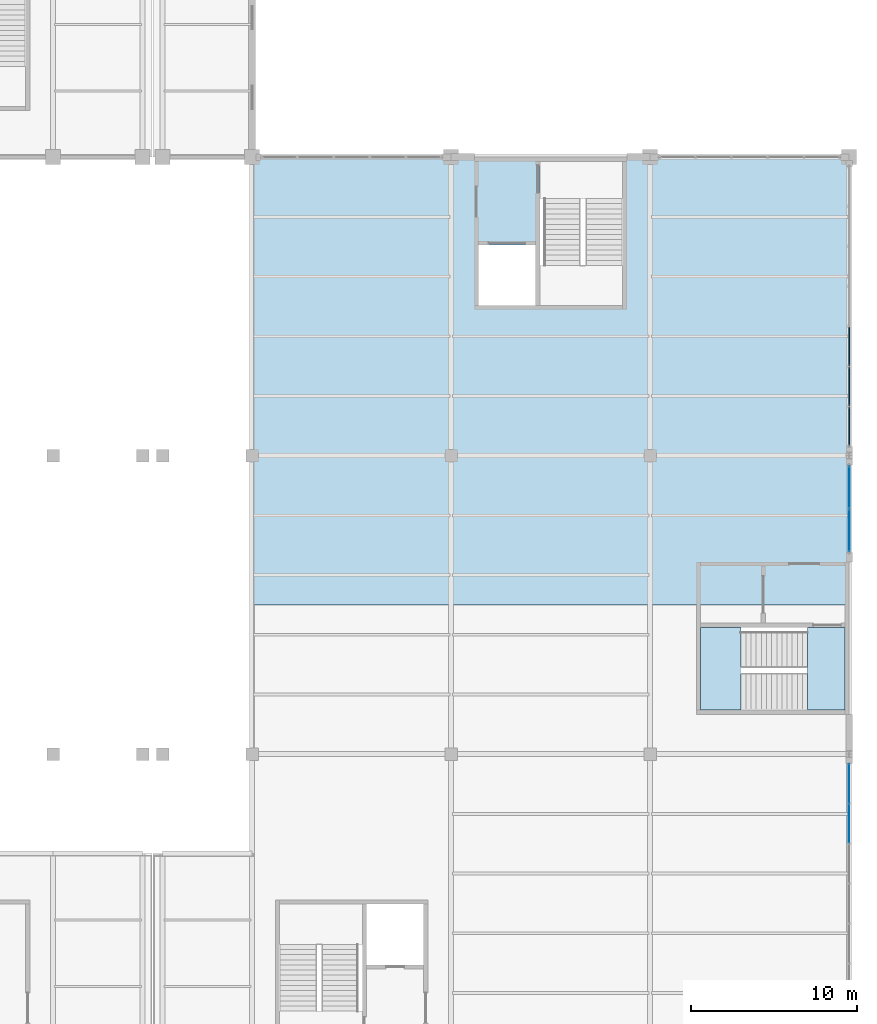
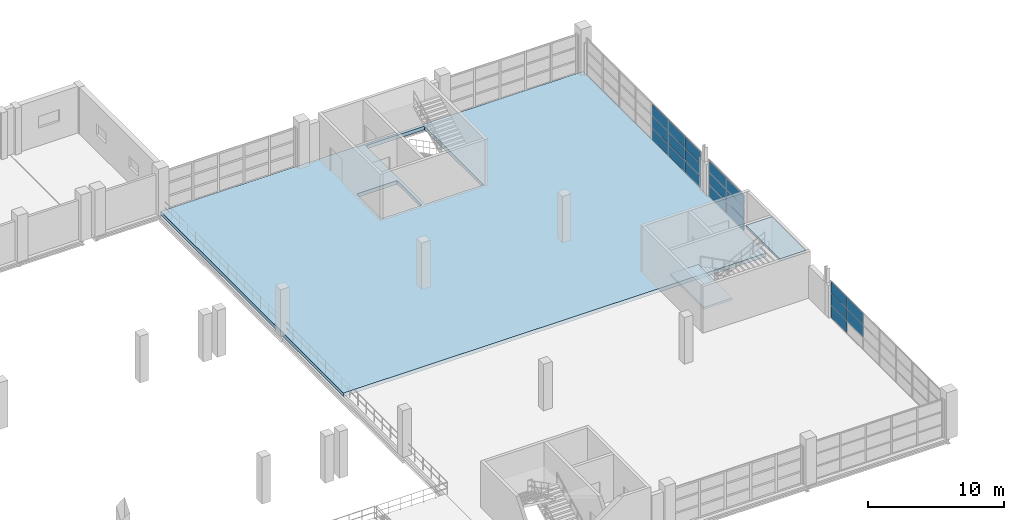
# One storey, part 135 of 158: 20 plates, 3 slabs, 4 elements without a shape of their own.
"""IFC4 building model written with IfcOpenShell, lengths in metres."""

from ifc_helpers import new_model, si_unit, direction, frame, origin, origin_2d, place, context, subcontext, project, spatial, polyline, rectangle, outline, extrude, material, layer, layer_set, type_object, element, aggregate, save


model = new_model("IFC4")

# Units and contexts
model_context = context("Model", 3, precision=1e-05, world=origin(), true_north=direction((0.0, 1.0)))
body_context = subcontext(model_context, "Body", "Model", "MODEL_VIEW")
ifc_project = project(units=[si_unit("LENGTHUNIT", "METRE"), si_unit("AREAUNIT", "SQUARE_METRE"), si_unit("VOLUMEUNIT", "CUBIC_METRE"), si_unit("PLANEANGLEUNIT", "RADIAN"), si_unit("MASSUNIT", "GRAM", prefix="KILO")], contexts=[model_context])

# Site, building, storey
site_placement = place(None, origin())
site = spatial("IfcSite", under=ifc_project, at=site_placement, CompositionType="ELEMENT")
building_placement = place(site_placement, origin())
building = spatial("IfcBuilding", under=site, at=building_placement, Name="Zilviju Railside Exhibition Hall", CompositionType="ELEMENT")
storey_placement = place(building_placement, frame((0.0, 0.0, 4.199951171875)))
storey = spatial("IfcBuildingStorey", under=building, at=storey_placement, Name="L02", CompositionType="ELEMENT", Elevation=4.199951171875)

# Curtain wall, plates
ifc_material_1 = material(Name="Thermally broken aluminium-steel triple-glazed curtain wall", Category="steel")
ifc_layer_1 = layer(ifc_material_1, 0.179931640625)
ifc_layer_set_1 = layer_set([ifc_layer_1], Name="Thermally broken aluminium-steel triple-glazed curtain wall")
curtain_wall_type_1 = type_object("IfcCurtainWallType", Name="CW-BAY-15", PredefinedType="USERDEFINED", material=ifc_layer_set_1)
curtain_wall_1_placement = place(storey_placement, origin())
curtain_wall_1 = element("IfcCurtainWall", 1, at=curtain_wall_1_placement, inside=storey, type_object=curtain_wall_type_1, Name="North Hall East Glazed Gable L02 (84..102)", ObjectType="GLAZED CURTAIN WALL", PredefinedType="USERDEFINED")
ifc_material_2 = material(Name="Laminated acoustic double-glazed porch unit", Category="glass")
ifc_layer_2 = layer(ifc_material_2, 0.031982421875)
ifc_layer_set_2 = layer_set([ifc_layer_2], Name="Laminated acoustic double-glazed porch unit")
plate_type_1 = type_object("IfcPlateType", Name="CWP-IGU-32", PredefinedType="CURTAIN_PANEL", material=ifc_layer_set_2)
plate_1_placement = place(storey_placement, frame((216.0, 100.227783203125, 0.06005859375), z_axis=(0.0, 0.0, 1.0), x_axis=(0.0, -1.0, 0.0)))
plate_1 = element("IfcPlate", 2, at=plate_1_placement, type_object=plate_type_1, Name="CW-15 panel 1.1", PredefinedType="CURTAIN_PANEL", context=body_context, shape_type="SweptSolid", body=[
    extrude(rectangle(XDim=2.32421875, YDim=0.031982421875, at=origin_2d()), origin(), (0.0, 0.0, 1.0), 1.027099609375),
])
plate_2_placement = place(storey_placement, frame((216.0, 100.227783203125, 1.14697265625), z_axis=(0.0, 0.0, 1.0), x_axis=(0.0, -1.0, 0.0)))
plate_2 = element("IfcPlate", 3, at=plate_2_placement, type_object=plate_type_1, Name="CW-15 panel 1.2", PredefinedType="CURTAIN_PANEL", context=body_context, shape_type="SweptSolid", body=[
    extrude(rectangle(XDim=2.32421875, YDim=0.031982421875, at=origin_2d()), origin(), (0.0, 0.0, 1.0), 1.055908203125),
])
plate_3_placement = place(storey_placement, frame((216.0, 100.227783203125, 2.26318359375), z_axis=(0.0, 0.0, 1.0), x_axis=(0.0, -1.0, 0.0)))
plate_3 = element("IfcPlate", 4, at=plate_3_placement, type_object=plate_type_1, Name="CW-15 panel 1.3", PredefinedType="CURTAIN_PANEL", context=body_context, shape_type="SweptSolid", body=[
    extrude(rectangle(XDim=2.32421875, YDim=0.031982421875, at=origin_2d()), origin(), (0.0, 0.0, 1.0), 1.027099609375),
])
plate_4_placement = place(storey_placement, frame((216.0, 97.82861328125, 1.14697265625), z_axis=(0.0, 0.0, 1.0), x_axis=(0.0, -1.0, 0.0)))
plate_4 = element("IfcPlate", 5, at=plate_4_placement, type_object=plate_type_1, Name="CW-15 panel 2.2", PredefinedType="CURTAIN_PANEL", context=body_context, shape_type="SweptSolid", body=[
    extrude(rectangle(XDim=2.354248046875, YDim=0.031982421875, at=origin_2d()), origin(), (0.0, 0.0, 1.0), 1.055908203125),
])
plate_5_placement = place(storey_placement, frame((216.0, 97.82861328125, 2.26318359375), z_axis=(0.0, 0.0, 1.0), x_axis=(0.0, -1.0, 0.0)))
plate_5 = element("IfcPlate", 6, at=plate_5_placement, type_object=plate_type_1, Name="CW-15 panel 2.3", PredefinedType="CURTAIN_PANEL", context=body_context, shape_type="SweptSolid", body=[
    extrude(rectangle(XDim=2.354248046875, YDim=0.031982421875, at=origin_2d()), origin(), (0.0, 0.0, 1.0), 1.027099609375),
])
aggregate(curtain_wall_1, [plate_1, plate_2, plate_3, plate_4, plate_5])

ifc_layer_3 = layer(ifc_material_1, 0.179931640625)
ifc_layer_set_3 = layer_set([ifc_layer_3], Name="Thermally broken aluminium-steel triple-glazed curtain wall")
curtain_wall_type_2 = type_object("IfcCurtainWallType", Name="CW-BAY-16", PredefinedType="USERDEFINED", material=ifc_layer_set_3)
curtain_wall_2_placement = place(storey_placement, origin())
curtain_wall_2 = element("IfcCurtainWall", 7, at=curtain_wall_2_placement, inside=storey, type_object=curtain_wall_type_2, Name="North Hall East Glazed Gable L02 (114..120)", ObjectType="GLAZED CURTAIN WALL", PredefinedType="USERDEFINED")
ifc_material_3 = material(Name="Insulated cobalt-blue enamelled spandrel glass panel", Category="glass")
ifc_layer_4 = layer(ifc_material_3, 0.052001953125)
ifc_layer_set_4 = layer_set([ifc_layer_4], Name="Insulated cobalt-blue enamelled spandrel glass panel")
plate_type_2 = type_object("IfcPlateType", Name="CWP-SPD-52", PredefinedType="CURTAIN_PANEL", material=ifc_layer_set_4)
plate_6_placement = place(storey_placement, frame((216.0, 118.10498046875, 0.080078125), z_axis=(0.0, 0.0, 1.0), x_axis=(0.0, -1.0, 0.0)))
plate_6 = element("IfcPlate", 8, at=plate_6_placement, type_object=plate_type_2, Name="CW-16 panel 1.1", PredefinedType="CURTAIN_PANEL", context=body_context, shape_type="SweptSolid", body=[
    extrude(rectangle(XDim=2.530029296875, YDim=0.052001953125, at=origin_2d()), origin(), (0.0, 0.0, 1.0), 0.9970703125),
])
plate_7_placement = place(storey_placement, frame((216.0, 118.10498046875, 1.1572265625), z_axis=(0.0, 0.0, 1.0), x_axis=(0.0, -1.0, 0.0)))
plate_7 = element("IfcPlate", 9, at=plate_7_placement, type_object=plate_type_2, Name="CW-16 panel 1.2", PredefinedType="CURTAIN_PANEL", context=body_context, shape_type="SweptSolid", body=[
    extrude(rectangle(XDim=2.530029296875, YDim=0.052001953125, at=origin_2d()), origin(), (0.0, 0.0, 1.0), 1.035888671875),
])
plate_8_placement = place(storey_placement, frame((216.0, 118.10498046875, 2.27294921875), z_axis=(0.0, 0.0, 1.0), x_axis=(0.0, -1.0, 0.0)))
plate_8 = element("IfcPlate", 10, at=plate_8_placement, type_object=plate_type_2, Name="CW-16 panel 1.3", PredefinedType="CURTAIN_PANEL", context=body_context, shape_type="SweptSolid", body=[
    extrude(rectangle(XDim=2.530029296875, YDim=0.052001953125, at=origin_2d()), origin(), (0.0, 0.0, 1.0), 0.9970703125),
])
plate_9_placement = place(storey_placement, frame((216.0, 115.4951171875, 0.080078125), z_axis=(0.0, 0.0, 1.0), x_axis=(0.0, -1.0, 0.0)))
plate_9 = element("IfcPlate", 11, at=plate_9_placement, type_object=plate_type_2, Name="CW-16 panel 2.1", PredefinedType="CURTAIN_PANEL", context=body_context, shape_type="SweptSolid", body=[
    extrude(rectangle(XDim=2.530029296875, YDim=0.052001953125, at=origin_2d()), origin(), (0.0, 0.0, 1.0), 0.9970703125),
])
plate_10_placement = place(storey_placement, frame((216.0, 115.4951171875, 1.1572265625), z_axis=(0.0, 0.0, 1.0), x_axis=(0.0, -1.0, 0.0)))
plate_10 = element("IfcPlate", 12, at=plate_10_placement, type_object=plate_type_2, Name="CW-16 panel 2.2", PredefinedType="CURTAIN_PANEL", context=body_context, shape_type="SweptSolid", body=[
    extrude(rectangle(XDim=2.530029296875, YDim=0.052001953125, at=origin_2d()), origin(), (0.0, 0.0, 1.0), 1.035888671875),
])
plate_11_placement = place(storey_placement, frame((216.0, 115.4951171875, 2.27294921875), z_axis=(0.0, 0.0, 1.0), x_axis=(0.0, -1.0, 0.0)))
plate_11 = element("IfcPlate", 13, at=plate_11_placement, type_object=plate_type_2, Name="CW-16 panel 2.3", PredefinedType="CURTAIN_PANEL", context=body_context, shape_type="SweptSolid", body=[
    extrude(rectangle(XDim=2.530029296875, YDim=0.052001953125, at=origin_2d()), origin(), (0.0, 0.0, 1.0), 0.9970703125),
])
aggregate(curtain_wall_2, [plate_6, plate_7, plate_8, plate_9, plate_10, plate_11])

ifc_layer_5 = layer(ifc_material_1, 0.179931640625)
ifc_layer_set_5 = layer_set([ifc_layer_5], Name="Thermally broken aluminium-steel triple-glazed curtain wall")
curtain_wall_type_3 = type_object("IfcCurtainWallType", Name="CW-BAY-17", PredefinedType="USERDEFINED", material=ifc_layer_set_5)
curtain_wall_3_placement = place(storey_placement, origin())
curtain_wall_3 = element("IfcCurtainWall", 14, at=curtain_wall_3_placement, inside=storey, type_object=curtain_wall_type_3, Name="North Hall East Glazed Gable L02 (120..138)", ObjectType="GLAZED CURTAIN WALL", PredefinedType="USERDEFINED")
ifc_material_4 = material(Name="Insulated emerald ceramic-frit spandrel panel", Category="glass")
ifc_layer_6 = layer(ifc_material_4, 0.06396484375)
ifc_layer_set_6 = layer_set([ifc_layer_6], Name="Insulated emerald ceramic-frit spandrel panel")
plate_type_3 = type_object("IfcPlateType", Name="CWP-SPD-64", PredefinedType="CURTAIN_PANEL", material=ifc_layer_set_6)
plate_12_placement = place(storey_placement, frame((216.0, 126.585693359375, 0.0751953125), z_axis=(0.0, 0.0, 1.0), x_axis=(0.0, -1.0, 0.0)))
plate_12 = element("IfcPlate", 15, at=plate_12_placement, type_object=plate_type_3, Name="CW-17 panel 5.1", PredefinedType="CURTAIN_PANEL", context=body_context, shape_type="SweptSolid", body=[
    extrude(rectangle(XDim=2.33935546875, YDim=0.06396484375, at=origin_2d()), origin(), (0.0, 0.0, 1.0), 1.00439453125),
])
plate_13_placement = place(storey_placement, frame((216.0, 126.585693359375, 1.154541015625), z_axis=(0.0, 0.0, 1.0), x_axis=(0.0, -1.0, 0.0)))
plate_13 = element("IfcPlate", 16, at=plate_13_placement, type_object=plate_type_3, Name="CW-17 panel 5.2", PredefinedType="CURTAIN_PANEL", context=body_context, shape_type="SweptSolid", body=[
    extrude(rectangle(XDim=2.33935546875, YDim=0.06396484375, at=origin_2d()), origin(), (0.0, 0.0, 1.0), 1.041015625),
])
plate_14_placement = place(storey_placement, frame((216.0, 126.585693359375, 2.2705078125), z_axis=(0.0, 0.0, 1.0), x_axis=(0.0, -1.0, 0.0)))
plate_14 = element("IfcPlate", 17, at=plate_14_placement, type_object=plate_type_3, Name="CW-17 panel 5.3", PredefinedType="CURTAIN_PANEL", context=body_context, shape_type="SweptSolid", body=[
    extrude(rectangle(XDim=2.33935546875, YDim=0.06396484375, at=origin_2d()), origin(), (0.0, 0.0, 1.0), 1.00439453125),
])
plate_15_placement = place(storey_placement, frame((216.0, 124.17138671875, 0.0751953125), z_axis=(0.0, 0.0, 1.0), x_axis=(0.0, -1.0, 0.0)))
plate_15 = element("IfcPlate", 18, at=plate_15_placement, type_object=plate_type_3, Name="CW-17 panel 6.1", PredefinedType="CURTAIN_PANEL", context=body_context, shape_type="SweptSolid", body=[
    extrude(rectangle(XDim=2.33935546875, YDim=0.06396484375, at=origin_2d()), origin(), (0.0, 0.0, 1.0), 1.00439453125),
])
plate_16_placement = place(storey_placement, frame((216.0, 124.17138671875, 1.154541015625), z_axis=(0.0, 0.0, 1.0), x_axis=(0.0, -1.0, 0.0)))
plate_16 = element("IfcPlate", 19, at=plate_16_placement, type_object=plate_type_3, Name="CW-17 panel 6.2", PredefinedType="CURTAIN_PANEL", context=body_context, shape_type="SweptSolid", body=[
    extrude(rectangle(XDim=2.33935546875, YDim=0.06396484375, at=origin_2d()), origin(), (0.0, 0.0, 1.0), 1.041015625),
])
plate_17_placement = place(storey_placement, frame((216.0, 124.17138671875, 2.2705078125), z_axis=(0.0, 0.0, 1.0), x_axis=(0.0, -1.0, 0.0)))
plate_17 = element("IfcPlate", 20, at=plate_17_placement, type_object=plate_type_3, Name="CW-17 panel 6.3", PredefinedType="CURTAIN_PANEL", context=body_context, shape_type="SweptSolid", body=[
    extrude(rectangle(XDim=2.33935546875, YDim=0.06396484375, at=origin_2d()), origin(), (0.0, 0.0, 1.0), 1.00439453125),
])
plate_18_placement = place(storey_placement, frame((216.0, 121.77587890625, 0.0751953125), z_axis=(0.0, 0.0, 1.0), x_axis=(0.0, -1.0, 0.0)))
plate_18 = element("IfcPlate", 21, at=plate_18_placement, type_object=plate_type_3, Name="CW-17 panel 7.1", PredefinedType="CURTAIN_PANEL", context=body_context, shape_type="SweptSolid", body=[
    extrude(rectangle(XDim=2.3017578125, YDim=0.06396484375, at=origin_2d()), origin(), (0.0, 0.0, 1.0), 1.00439453125),
])
plate_19_placement = place(storey_placement, frame((216.0, 121.77587890625, 1.154541015625), z_axis=(0.0, 0.0, 1.0), x_axis=(0.0, -1.0, 0.0)))
plate_19 = element("IfcPlate", 22, at=plate_19_placement, type_object=plate_type_3, Name="CW-17 panel 7.2", PredefinedType="CURTAIN_PANEL", context=body_context, shape_type="SweptSolid", body=[
    extrude(rectangle(XDim=2.3017578125, YDim=0.06396484375, at=origin_2d()), origin(), (0.0, 0.0, 1.0), 1.041015625),
])
plate_20_placement = place(storey_placement, frame((216.0, 121.77587890625, 2.2705078125), z_axis=(0.0, 0.0, 1.0), x_axis=(0.0, -1.0, 0.0)))
plate_20 = element("IfcPlate", 23, at=plate_20_placement, type_object=plate_type_3, Name="CW-17 panel 7.3", PredefinedType="CURTAIN_PANEL", context=body_context, shape_type="SweptSolid", body=[
    extrude(rectangle(XDim=2.3017578125, YDim=0.06396484375, at=origin_2d()), origin(), (0.0, 0.0, 1.0), 1.00439453125),
])
aggregate(curtain_wall_3, [plate_12, plate_13, plate_14, plate_15, plate_16, plate_17, plate_18, plate_19, plate_20])

# Slab
ifc_material_5 = material(Name="Concrete C35/45", Category="concrete")
ifc_layer_7 = layer(ifc_material_5, 0.330078125)
ifc_layer_set_7 = layer_set([ifc_layer_7], Name="Concrete C35/45")
slab_type_1 = type_object("IfcSlabType", Name="SL-FLR-330", PredefinedType="FLOOR", material=ifc_layer_set_7)
slab_1_placement = place(storey_placement, frame((0.0, 0.0, -0.329833984375)))
element("IfcSlab", 24, at=slab_1_placement, inside=storey, type_object=slab_type_1, Name="North Hall L02 East Gallery North", PredefinedType="FLOOR", context=body_context, shape_type="SweptSolid", body=[
    extrude(outline(polyline([(180.0, 111.0), (216.0, 111.0), (216.0, 138.0), (180.0, 138.0), (180.0, 111.0)]), holes=[polyline([(197.35009765625, 129.050048828125), (202.35009765625, 129.050048828125), (202.35009765625, 137.75), (197.35009765625, 137.75), (197.35009765625, 129.050048828125)]), polyline([(193.64990234375, 129.050048828125), (197.10009765625, 129.050048828125), (197.10009765625, 132.699951171875), (193.64990234375, 132.699951171875), (193.64990234375, 129.050048828125)])]), origin(), (0.0, 0.0, 1.0), 0.329833984375),
])

# Stair, slabs
stair_type = type_object("IfcStairType", Name="STAIR-ST-C", PredefinedType="HALF_TURN_STAIR", material=ifc_material_5)
stair_placement = place(storey_placement, origin())
stair = element("IfcStair", 25, at=stair_placement, inside=storey, type_object=stair_type, Name="Core C09 North Hall Gable East Exit Stair L02", PredefinedType="HALF_TURN_STAIR")
ifc_layer_8 = layer(ifc_material_5, 0.199951171875)
ifc_layer_set_8 = layer_set([ifc_layer_8], Name="Concrete C35/45")
slab_type_2 = type_object("IfcSlabType", Name="SL-LAND-200", PredefinedType="LANDING", material=ifc_layer_set_8)
slab_2_placement = place(storey_placement, frame((0.0, 0.0, 1.900146484375)))
slab_2 = element("IfcSlab", 26, at=slab_2_placement, type_object=slab_type_2, Name="ST-09 landing 1", PredefinedType="LANDING", context=body_context, shape_type="SweptSolid", body=[
    extrude(outline(polyline([(209.469970703125, 104.64990234375), (209.469970703125, 109.64990234375), (207.050048828125, 109.64990234375), (207.050048828125, 104.64990234375), (209.469970703125, 104.64990234375)])), origin(), (0.0, 0.0, 1.0), 0.199951171875),
])
slab_3_placement = place(storey_placement, frame((0.0, 0.0, 4.0)))
slab_3 = element("IfcSlab", 27, at=slab_3_placement, type_object=slab_type_2, Name="ST-09 landing 2", PredefinedType="LANDING", context=body_context, shape_type="SweptSolid", body=[
    extrude(outline(polyline([(215.75, 104.64990234375), (215.75, 109.64990234375), (213.5, 109.64990234375), (213.5, 104.64990234375), (215.75, 104.64990234375)])), origin(), (0.0, 0.0, 1.0), 0.199951171875),
])
aggregate(stair, [slab_2, slab_3])

save(model, "model.ifc")
